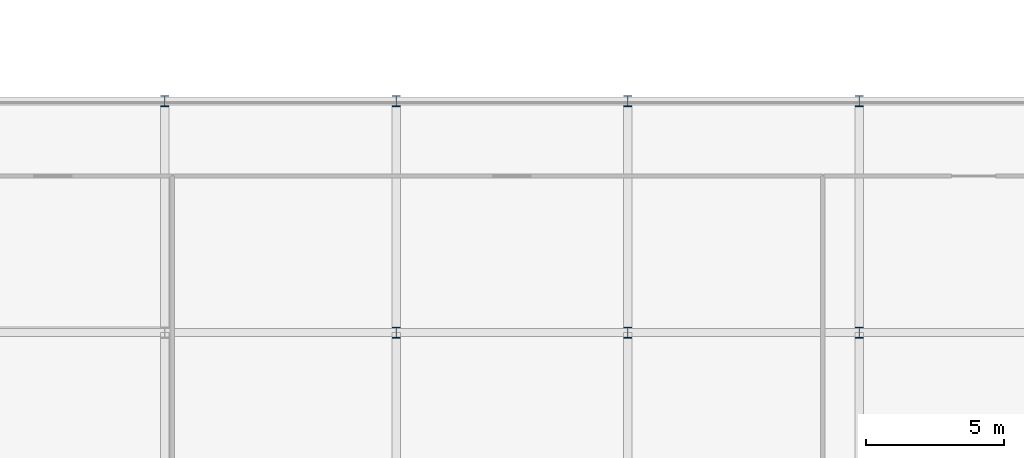
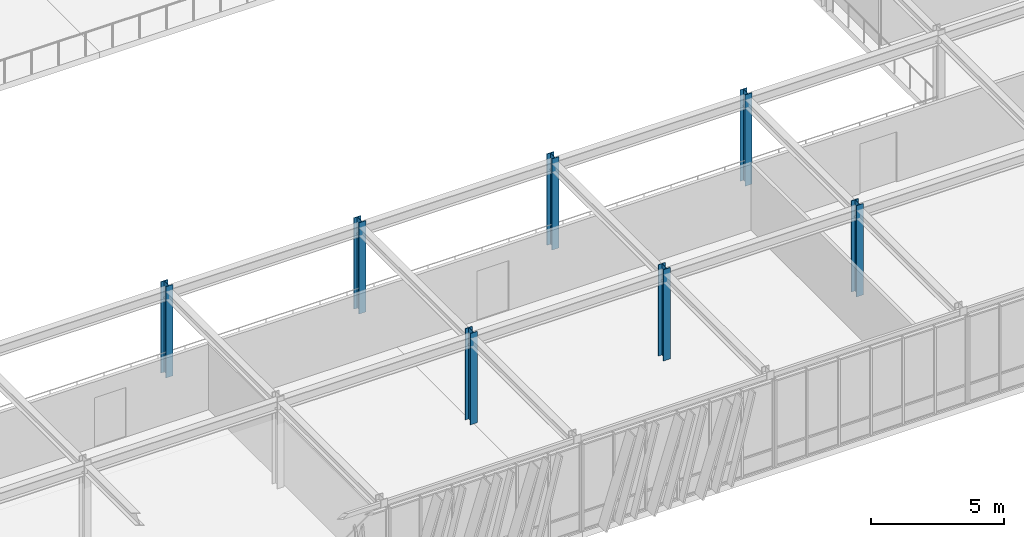
# One storey, part 8 of 123: 7 columns.
"""IFC4 building model written with IfcOpenShell, lengths in metres."""

from ifc_helpers import new_model, si_unit, direction, frame, origin, origin_2d, place, context, subcontext, project, spatial, i_section, extrude, material, material_profile, profile_set, type_object, element, save


model = new_model("IFC4")

# Units and contexts
model_context = context("Model", 3, precision=1e-05, world=origin(), true_north=direction((0.0, 1.0)))
body_context = subcontext(model_context, "Body", "Model", "MODEL_VIEW")
ifc_project = project(units=[si_unit("LENGTHUNIT", "METRE"), si_unit("AREAUNIT", "SQUARE_METRE"), si_unit("VOLUMEUNIT", "CUBIC_METRE"), si_unit("PLANEANGLEUNIT", "RADIAN"), si_unit("MASSUNIT", "GRAM", prefix="KILO")], contexts=[model_context])

# Site, building, storey
site_placement = place(None, origin())
site = spatial("IfcSite", under=ifc_project, at=site_placement, CompositionType="ELEMENT")
building_placement = place(site_placement, origin())
building = spatial("IfcBuilding", under=site, at=building_placement, Name="Zayran Congress Hotel", CompositionType="ELEMENT")
storey_placement = place(building_placement, frame((0.0, 0.0, 15.0)))
storey = spatial("IfcBuildingStorey", under=building, at=storey_placement, Name="L03", CompositionType="ELEMENT", Elevation=15.0)

# Columns
ifc_material = material(Name="Steel S355", Category="steel")
ifc_material_profile = material_profile(ifc_material, i_section(OverallWidth=0.300048828125, OverallDepth=0.39990234375, WebThickness=0.013427734375, FlangeThickness=0.02392578125, at=origin_2d()), Name="HEB 400")
ifc_profile_set = profile_set([ifc_material_profile], Name="Steel S355")
column_type = type_object("IfcColumnType", Name="TP-CL-07", PredefinedType="COLUMN", material=ifc_profile_set)
for number, where, z_axis, x_axis, name in (
    (1, (42.0, 84.39990234375, 0.0), (0.0, 0.0, 1.0), (1.0, 0.0, 0.0), "COL-V1-L03-0482"),
    (2, (50.39990234375, 76.0, 0.0), (0.0, 0.0, 1.0), (1.0, 0.0, 0.0), "COL-V1-L03-0486"),
    (3, (50.39990234375, 84.39990234375, 0.0), (0.0, 0.0, 1.0), (1.0, 0.0, 0.0), "COL-V1-L03-0487"),
    (4, (58.800048828125, 76.0, 0.0), (0.0, 0.0, 1.0), (1.0, 0.0, 0.0), "COL-V1-L03-0491"),
    (5, (58.800048828125, 84.39990234375, 0.0), (0.0, 0.0, 1.0), (1.0, 0.0, 0.0), "COL-V1-L03-0492"),
    (6, (67.199951171875, 76.0, 0.0), (0.0, 0.0, 1.0), (1.0, 0.0, 0.0), "COL-V1-L03-0496"),
    (7, (67.199951171875, 84.39990234375, 0.0), (0.0, 0.0, 1.0), (1.0, 0.0, 0.0), "COL-V1-L03-0497"),
):
    element("IfcColumn", number, at=place(storey_placement, frame(where, z_axis=z_axis, x_axis=x_axis)), inside=storey, type_object=column_type, Name=name, PredefinedType="COLUMN", context=body_context, shape_type="SweptSolid", body=[
        extrude(i_section(OverallWidth=0.300048828125, OverallDepth=0.39990234375, WebThickness=0.013427734375, FlangeThickness=0.02392578125, at=origin_2d()), origin(), (0.0, 0.0, 1.0), 4.199951171875),
    ])

save(model, "model.ifc")
